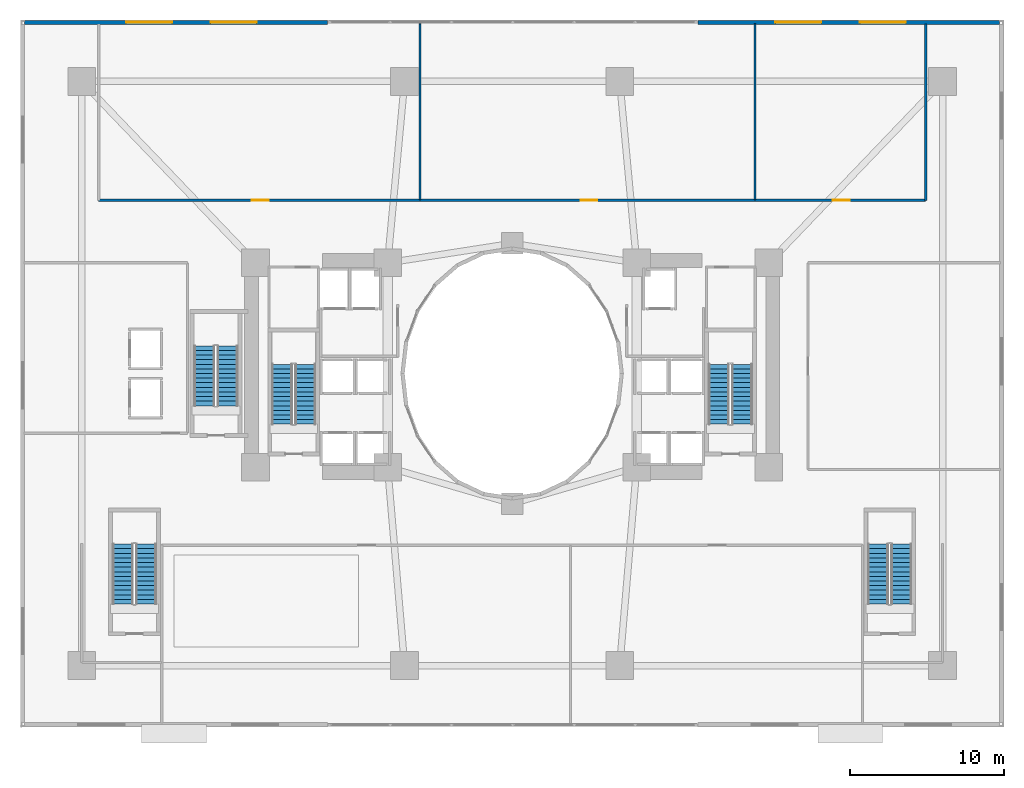
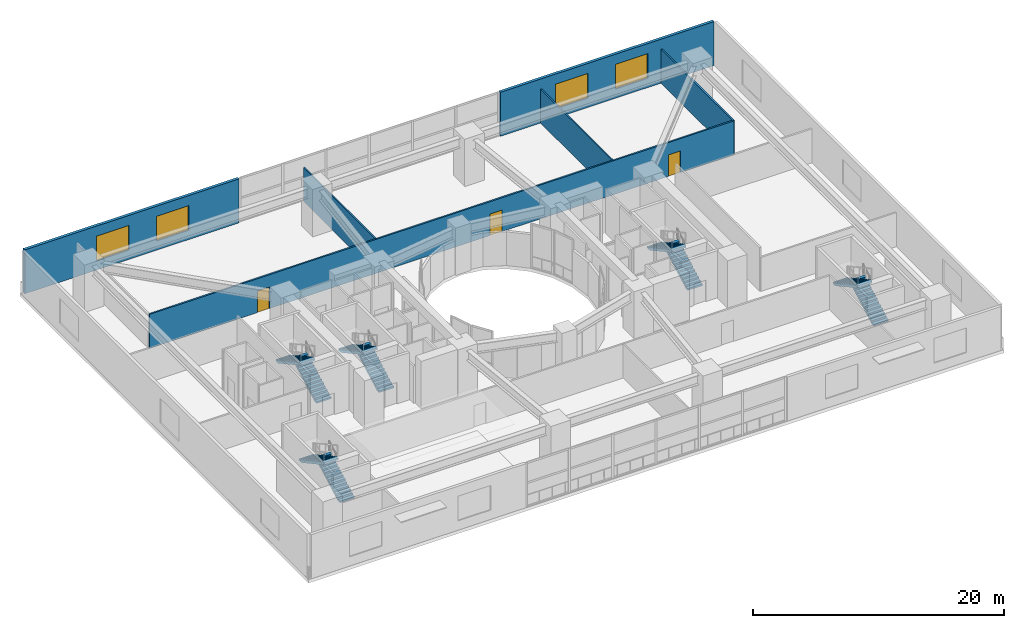
# One storey, part 18 of 25: 10 stair flights, 6 walls, 4 windows, 3 doors, 7 openings, 5 elements without a shape of their own.
"""IFC4 building model written with IfcOpenShell, lengths in metres."""

from ifc_helpers import new_model, si_unit, direction, frame, frame_2d, origin, place, context, subcontext, project, spatial, polyline, rectangle, outline, extrude, material, layer, layer_set, type_object, element, fill, aggregate, save


model = new_model("IFC4")

# Units and contexts
model_context = context("Model", 3, precision=1e-05, world=origin(), true_north=direction((0.0, 1.0)))
body_context = subcontext(model_context, "Body", "Model", "MODEL_VIEW")
ifc_project = project(units=[si_unit("LENGTHUNIT", "METRE"), si_unit("AREAUNIT", "SQUARE_METRE"), si_unit("VOLUMEUNIT", "CUBIC_METRE"), si_unit("PLANEANGLEUNIT", "RADIAN"), si_unit("MASSUNIT", "GRAM", prefix="KILO")], contexts=[model_context])

# Site, building, storey
site_placement = place(None, origin())
site = spatial("IfcSite", under=ifc_project, at=site_placement, CompositionType="ELEMENT")
building_placement = place(site_placement, origin())
building = spatial("IfcBuilding", under=site, at=building_placement, Name="Solvane Sanctuary Tower", CompositionType="ELEMENT")
storey_placement = place(building_placement, frame((0.0, 0.0, 4.60009765625)))
storey = spatial("IfcBuildingStorey", under=building, at=storey_placement, Name="L02", CompositionType="ELEMENT", Elevation=4.60009765625)

# Wall, openings, doors
ifc_material_1 = material(Name="Acoustic Gypsum Partition Board")
ifc_layer_1 = layer(ifc_material_1, 0.14990234375, Name="Acoustic Gypsum Partition Board")
ifc_layer_set_1 = layer_set([ifc_layer_1], Name="Acoustic Gypsum Partition Board")
wall_type_1 = type_object("IfcWallType", Name="Wall W-CORR-150", PredefinedType="PARTITIONING", material=ifc_layer_set_1)
wall_1_placement = place(storey_placement, frame((5.10009765625, 34.27001953125, 0.0), z_axis=(0.0, 0.0, 1.0), x_axis=(1.0, 0.0, 0.0)))
wall_1 = element("IfcWall", 1, at=wall_1_placement, inside=storey, type_object=wall_type_1, Name="L02 North Sanctuary Corridor Wall", PredefinedType="PARTITIONING", context=body_context, shape_type="SweptSolid", body=[
    extrude(rectangle(XDim=53.7998046875, YDim=0.14990234375, at=frame_2d((26.89990234375, 0.0))), origin(), (0.0, 0.0, 1.0), 3.2998046875),
])
opening_1_placement = place(wall_1_placement, frame((9.949951171875, 0.0, 0.0)))
opening_1 = element("IfcOpeningElement", 2, at=opening_1_placement, cuts=wall_1, Name="Opening D-L02-10", PredefinedType="OPENING", context=body_context, shape_type="SweptSolid", body=[
    extrude(rectangle(XDim=1.10009765625, YDim=2.10009765625, at=frame_2d((0.550048828125, 1.050048828125))), frame((0.0, 0.0849609375, 0.0), z_axis=(0.0, -1.0, 0.0), x_axis=(1.0, 0.0, 0.0)), (0.0, 0.0, 1.0), 0.169921875),
])
opening_2_placement = place(wall_1_placement, frame((31.35009765625, 0.0, 0.0)))
opening_2 = element("IfcOpeningElement", 3, at=opening_2_placement, cuts=wall_1, Name="Opening D-L02-11", PredefinedType="OPENING", context=body_context, shape_type="SweptSolid", body=[
    extrude(rectangle(XDim=1.10009765625, YDim=2.10009765625, at=frame_2d((0.550048828125, 1.050048828125))), frame((0.0, 0.0849609375, 0.0), z_axis=(0.0, -1.0, 0.0), x_axis=(1.0, 0.0, 0.0)), (0.0, 0.0, 1.0), 0.169921875),
])
opening_3_placement = place(wall_1_placement, frame((47.75, 0.0, 0.0)))
opening_3 = element("IfcOpeningElement", 4, at=opening_3_placement, cuts=wall_1, Name="Opening D-L02-12", PredefinedType="OPENING", context=body_context, shape_type="SweptSolid", body=[
    extrude(rectangle(XDim=1.10009765625, YDim=2.10009765625, at=frame_2d((0.550048828125, 1.050048828125))), frame((0.0, 0.0849609375, 0.0), z_axis=(0.0, -1.0, 0.0), x_axis=(1.0, 0.0, 0.0)), (0.0, 0.0, 1.0), 0.169921875),
])
ifc_material_2 = material(Name="Architectural Stainless Steel 316", Category="steel")
door_type = type_object("IfcDoorType", Name="Door D-FFL", OperationType="NOTDEFINED", PredefinedType="DOOR", material=ifc_material_2)
door_1_placement = place(opening_1_placement, origin())
door_1 = element("IfcDoor", 5, at=door_1_placement, inside=storey, type_object=door_type, Name="L02 WUDU-M Hall Door", OperationType="SINGLE_SWING_LEFT", OverallHeight=2.10009765625, OverallWidth=1.10009765625, PredefinedType="DOOR", context=body_context, shape_type="SweptSolid", body=[
    extrude(rectangle(XDim=1.10009765625, YDim=2.10009765625, at=frame_2d((0.550048828125, 1.050048828125))), frame((0.0, 0.02490234375, 0.0), z_axis=(0.0, -1.0, 0.0), x_axis=(1.0, 0.0, 0.0)), (0.0, 0.0, 1.0), 0.050048828125),
])
fill(opening_1, door_1)
door_2_placement = place(opening_2_placement, origin())
door_2 = element("IfcDoor", 6, at=door_2_placement, inside=storey, type_object=door_type, Name="L02 WUDU-W Hall Door", OperationType="SINGLE_SWING_RIGHT", OverallHeight=2.10009765625, OverallWidth=1.10009765625, PredefinedType="DOOR", context=body_context, shape_type="SweptSolid", body=[
    extrude(rectangle(XDim=1.10009765625, YDim=2.10009765625, at=frame_2d((0.550048828125, 1.050048828125))), frame((0.0, 0.02490234375, 0.0), z_axis=(0.0, -1.0, 0.0), x_axis=(1.0, 0.0, 0.0)), (0.0, 0.0, 1.0), 0.050048828125),
])
fill(opening_2, door_2)
door_3_placement = place(opening_3_placement, origin())
door_3 = element("IfcDoor", 7, at=door_3_placement, inside=storey, type_object=door_type, Name="L02 SHOE Hall Door", OperationType="SINGLE_SWING_LEFT", OverallHeight=2.10009765625, OverallWidth=1.10009765625, PredefinedType="DOOR", context=body_context, shape_type="SweptSolid", body=[
    extrude(rectangle(XDim=1.10009765625, YDim=2.10009765625, at=frame_2d((0.550048828125, 1.050048828125))), frame((0.0, 0.02490234375, 0.0), z_axis=(0.0, -1.0, 0.0), x_axis=(1.0, 0.0, 0.0)), (0.0, 0.0, 1.0), 0.050048828125),
])
fill(opening_3, door_3)

# Wall
wall_2_placement = place(storey_placement, frame((58.89990234375, 34.27001953125, 0.0), z_axis=(0.0, 0.0, 1.0), x_axis=(0.0, 1.0, 0.0)))
element("IfcWall", 8, at=wall_2_placement, inside=storey, type_object=wall_type_1, Name="L02 North Hall East Wall", PredefinedType="PARTITIONING", context=body_context, shape_type="SweptSolid", body=[
    extrude(rectangle(XDim=11.47998046875, YDim=0.14990234375, at=frame_2d((5.739990234375, 0.0))), origin(), (0.0, 0.0, 1.0), 3.2998046875),
])

# Wall, openings, windows
ifc_material_3 = material(Name="Precast concrete C40/50", Category="concrete")
ifc_layer_2 = layer(ifc_material_3, 0.260009765625, Name="Precast concrete C40/50")
ifc_layer_set_2 = layer_set([ifc_layer_2], Name="Precast concrete C40/50")
wall_type_2 = type_object("IfcWallType", Name="Wall W-EXT-250", PredefinedType="STANDARD", material=ifc_layer_set_2)
wall_3_placement = place(storey_placement, frame((63.719970703125, 45.85009765625, 0.0), z_axis=(0.0, 0.0, 1.0), x_axis=(-1.0, 0.0, 0.0)))
wall_3 = element("IfcWall", 9, at=wall_3_placement, inside=storey, type_object=wall_type_2, Name="L02 Podium Facade Wall N1", PredefinedType="STANDARD", context=body_context, shape_type="SweptSolid", body=[
    extrude(rectangle(XDim=19.639892578125, YDim=0.260009765625, at=frame_2d((9.81982421875, 0.0))), origin(), (0.0, 0.0, 1.0), 4.27978515625),
])
opening_4_placement = place(wall_3_placement, frame((6.10009765625, 0.0, 0.89990234375)))
opening_4 = element("IfcOpeningElement", 10, at=opening_4_placement, cuts=wall_3, Name="Opening WN-POD-3000", PredefinedType="OPENING", context=body_context, shape_type="SweptSolid", body=[
    extrude(rectangle(XDim=3.0, YDim=2.39990234375, at=frame_2d((1.5, 1.199951171875))), frame((0.0, 0.139892578125, 0.0), z_axis=(0.0, -1.0, 0.0), x_axis=(1.0, 0.0, 0.0)), (0.0, 0.0, 1.0), 0.280029296875),
])
opening_5_placement = place(wall_3_placement, frame((11.60009765625, 0.0, 0.89990234375)))
opening_5 = element("IfcOpeningElement", 11, at=opening_5_placement, cuts=wall_3, Name="Opening WN-POD-3000", PredefinedType="OPENING", context=body_context, shape_type="SweptSolid", body=[
    extrude(rectangle(XDim=3.0, YDim=2.39990234375, at=frame_2d((1.5, 1.199951171875))), frame((0.0, 0.139892578125, 0.0), z_axis=(0.0, -1.0, 0.0), x_axis=(1.0, 0.0, 0.0)), (0.0, 0.0, 1.0), 0.280029296875),
])
ifc_material_4 = material(Name="Dark Ceramic-Fritted Low-E Glass", Category="glass")
window_type = type_object("IfcWindowType", Name="Window WN-POD-3000", PartitioningType="SINGLE_PANEL", PredefinedType="WINDOW", material=ifc_material_4)
window_1_placement = place(opening_4_placement, origin())
window_1 = element("IfcWindow", 12, at=window_1_placement, inside=storey, type_object=window_type, Name="L02 Podium Window N1-6", OverallHeight=2.39990234375, OverallWidth=3.0, PartitioningType="SINGLE_PANEL", PredefinedType="WINDOW", context=body_context, shape_type="SweptSolid", body=[
    extrude(rectangle(XDim=3.0, YDim=2.39990234375, at=frame_2d((1.5, 1.199951171875))), frame((0.0, 0.030029296875, 0.0), z_axis=(0.0, -1.0, 0.0), x_axis=(1.0, 0.0, 0.0)), (0.0, 0.0, 1.0), 0.06005859375),
])
fill(opening_4, window_1)
window_2_placement = place(opening_5_placement, origin())
window_2 = element("IfcWindow", 13, at=window_2_placement, inside=storey, type_object=window_type, Name="L02 Podium Window N1-11", OverallHeight=2.39990234375, OverallWidth=3.0, PartitioningType="SINGLE_PANEL", PredefinedType="WINDOW", context=body_context, shape_type="SweptSolid", body=[
    extrude(rectangle(XDim=3.0, YDim=2.39990234375, at=frame_2d((1.5, 1.199951171875))), frame((0.0, 0.030029296875, 0.0), z_axis=(0.0, -1.0, 0.0), x_axis=(1.0, 0.0, 0.0)), (0.0, 0.0, 1.0), 0.06005859375),
])
fill(opening_5, window_2)

wall_4_placement = place(storey_placement, frame((20.0, 45.85009765625, 0.0), z_axis=(0.0, 0.0, 1.0), x_axis=(-1.0, 0.0, 0.0)))
wall_4 = element("IfcWall", 14, at=wall_4_placement, inside=storey, type_object=wall_type_2, Name="L02 Podium Facade Wall N3", PredefinedType="STANDARD", context=body_context, shape_type="SweptSolid", body=[
    extrude(rectangle(XDim=19.719970703125, YDim=0.260009765625, at=frame_2d((9.85986328125, 0.0))), origin(), (0.0, 0.0, 1.0), 4.27978515625),
])
opening_6_placement = place(wall_4_placement, frame((4.6201171875, 0.0, 0.89990234375)))
opening_6 = element("IfcOpeningElement", 15, at=opening_6_placement, cuts=wall_4, Name="Opening WN-POD-3000", PredefinedType="OPENING", context=body_context, shape_type="SweptSolid", body=[
    extrude(rectangle(XDim=3.0, YDim=2.39990234375, at=frame_2d((1.5, 1.199951171875))), frame((0.0, 0.139892578125, 0.0), z_axis=(0.0, -1.0, 0.0), x_axis=(1.0, 0.0, 0.0)), (0.0, 0.0, 1.0), 0.280029296875),
])
opening_7_placement = place(wall_4_placement, frame((10.1201171875, 0.0, 0.89990234375)))
opening_7 = element("IfcOpeningElement", 16, at=opening_7_placement, cuts=wall_4, Name="Opening WN-POD-3000", PredefinedType="OPENING", context=body_context, shape_type="SweptSolid", body=[
    extrude(rectangle(XDim=3.0, YDim=2.39990234375, at=frame_2d((1.5, 1.199951171875))), frame((0.0, 0.139892578125, 0.0), z_axis=(0.0, -1.0, 0.0), x_axis=(1.0, 0.0, 0.0)), (0.0, 0.0, 1.0), 0.280029296875),
])
window_3_placement = place(opening_6_placement, origin())
window_3 = element("IfcWindow", 17, at=window_3_placement, inside=storey, type_object=window_type, Name="L02 Podium Window N3-4", OverallHeight=2.39990234375, OverallWidth=3.0, PartitioningType="SINGLE_PANEL", PredefinedType="WINDOW", context=body_context, shape_type="SweptSolid", body=[
    extrude(rectangle(XDim=3.0, YDim=2.39990234375, at=frame_2d((1.5, 1.199951171875))), frame((0.0, 0.030029296875, 0.0), z_axis=(0.0, -1.0, 0.0), x_axis=(1.0, 0.0, 0.0)), (0.0, 0.0, 1.0), 0.06005859375),
])
fill(opening_6, window_3)
window_4_placement = place(opening_7_placement, origin())
window_4 = element("IfcWindow", 18, at=window_4_placement, inside=storey, type_object=window_type, Name="L02 Podium Window N3-10", OverallHeight=2.39990234375, OverallWidth=3.0, PartitioningType="SINGLE_PANEL", PredefinedType="WINDOW", context=body_context, shape_type="SweptSolid", body=[
    extrude(rectangle(XDim=3.0, YDim=2.39990234375, at=frame_2d((1.5, 1.199951171875))), frame((0.0, 0.030029296875, 0.0), z_axis=(0.0, -1.0, 0.0), x_axis=(1.0, 0.0, 0.0)), (0.0, 0.0, 1.0), 0.06005859375),
])
fill(opening_7, window_4)

# Walls
ifc_layer_3 = layer(ifc_material_1, 0.1201171875, Name="Acoustic Gypsum Partition Board")
ifc_layer_set_3 = layer_set([ifc_layer_3], Name="Acoustic Gypsum Partition Board")
wall_type_3 = type_object("IfcWallType", Name="Wall W-MOV-100", PredefinedType="MOVABLE", material=ifc_layer_set_3)
for number, where, z_axis, x_axis, name in (
    (19, (26.0, 34.320068359375, 0.0), (0.0, 0.0, 1.0), (0.0, 1.0, 0.0), "L02 Hall Dividing Partition WUDU-M"),
    (20, (47.800048828125, 34.320068359375, 0.0), (0.0, 0.0, 1.0), (0.0, 1.0, 0.0), "L02 Hall Dividing Partition WUDU-W"),
):
    element("IfcWall", number, at=place(storey_placement, frame(where, z_axis=z_axis, x_axis=x_axis)), inside=storey, type_object=wall_type_3, Name=name, PredefinedType="MOVABLE", context=body_context, shape_type="SweptSolid", body=[
        extrude(rectangle(XDim=11.429931640625, YDim=0.1201171875, at=frame_2d((5.71484375, 0.0))), origin(), (0.0, 0.0, 1.0), 3.2998046875),
    ])

# Stair, stair flights
ifc_material_5 = material(Name="Concrete C50/60", Category="concrete")
stair_type_1 = type_object("IfcStairType", Name="Stair ST-METRO", PredefinedType="HALF_TURN_STAIR", material=ifc_material_5)
stair_1_placement = place(storey_placement, origin())
stair_1 = element("IfcStair", 21, at=stair_1_placement, inside=storey, type_object=stair_type_1, Name="L02 Exit Stair ST-5 Metro East Stair", PredefinedType="HALF_TURN_STAIR")
stair_flight_type_1 = type_object("IfcStairFlightType", Name="StairFlight SF-METRO", PredefinedType="STRAIGHT", material=ifc_material_5)
stair_flight_1_placement = place(storey_placement, frame((57.324951171875, 8.0, 0.0), z_axis=(0.0, 0.0, 1.0), x_axis=(0.0, 1.0, 0.0)))
stair_flight_1 = element("IfcStairFlight", 22, at=stair_flight_1_placement, type_object=stair_flight_type_1, Name="ST-5 flight 1", NumberOfRisers=14, NumberOfTreads=13, PredefinedType="STRAIGHT", RiserHeight=0.164285714, TreadLength=0.3, context=body_context, shape_type="SweptSolid", body=[
    extrude(outline(polyline([(0.0, 0.0), (0.0, 0.164306640625), (0.300048828125, 0.164306640625), (0.300048828125, 0.32861328125), (0.60009765625, 0.32861328125), (0.60009765625, 0.492919921875), (0.89990234375, 0.492919921875), (0.89990234375, 0.6572265625), (1.199951171875, 0.6572265625), (1.199951171875, 0.821533203125), (1.5, 0.821533203125), (1.5, 0.985595703125), (1.800048828125, 0.985595703125), (1.800048828125, 1.14990234375), (2.10009765625, 1.14990234375), (2.10009765625, 1.314208984375), (2.39990234375, 1.314208984375), (2.39990234375, 1.478515625), (2.699951171875, 1.478515625), (2.699951171875, 1.642822265625), (3.0, 1.642822265625), (3.0, 1.80712890625), (3.300048828125, 1.80712890625), (3.300048828125, 1.971435546875), (3.60009765625, 1.971435546875), (3.60009765625, 2.1357421875), (3.89990234375, 2.1357421875), (3.89990234375, 2.300048828125), (3.89990234375, 1.9306640625), (0.37451171875, 0.0), (0.0, 0.0)])), frame((0.0, 0.675048828125, 0.0), z_axis=(0.0, -1.0, 0.0), x_axis=(1.0, 0.0, 0.0)), (0.0, 0.0, 1.0), 1.35009765625),
])
stair_flight_2_placement = place(storey_placement, frame((55.81494140625, 11.89990234375, 2.2998046875), z_axis=(0.0, 0.0, 1.0), x_axis=(0.0, -1.0, 0.0)))
stair_flight_2 = element("IfcStairFlight", 23, at=stair_flight_2_placement, type_object=stair_flight_type_1, Name="ST-5 flight 2", NumberOfRisers=14, NumberOfTreads=13, PredefinedType="STRAIGHT", RiserHeight=0.164285714, TreadLength=0.3, context=body_context, shape_type="SweptSolid", body=[
    extrude(outline(polyline([(0.0, 0.0), (0.0, 0.164306640625), (0.300048828125, 0.164306640625), (0.300048828125, 0.32861328125), (0.60009765625, 0.32861328125), (0.60009765625, 0.492919921875), (0.89990234375, 0.492919921875), (0.89990234375, 0.6572265625), (1.199951171875, 0.6572265625), (1.199951171875, 0.821533203125), (1.5, 0.821533203125), (1.5, 0.985595703125), (1.800048828125, 0.985595703125), (1.800048828125, 1.14990234375), (2.10009765625, 1.14990234375), (2.10009765625, 1.314208984375), (2.39990234375, 1.314208984375), (2.39990234375, 1.478515625), (2.699951171875, 1.478515625), (2.699951171875, 1.642822265625), (3.0, 1.642822265625), (3.0, 1.80712890625), (3.300048828125, 1.80712890625), (3.300048828125, 1.971435546875), (3.60009765625, 1.971435546875), (3.60009765625, 2.1357421875), (3.89990234375, 2.1357421875), (3.89990234375, 2.300048828125), (3.89990234375, 1.9306640625), (0.37451171875, 0.0), (0.0, 0.0)])), frame((0.0, 0.675048828125, 0.0), z_axis=(0.0, -1.0, 0.0), x_axis=(1.0, 0.0, 0.0)), (0.0, 0.0, 1.0), 1.35009765625),
])
aggregate(stair_1, [stair_flight_1, stair_flight_2])

stair_type_2 = type_object("IfcStairType", Name="Stair ST-POD", PredefinedType="HALF_TURN_STAIR", material=ifc_material_5)
stair_2_placement = place(storey_placement, origin())
stair_2 = element("IfcStair", 24, at=stair_2_placement, inside=storey, type_object=stair_type_2, Name="L02 Exit Stair ST-4 Metro West Stair", PredefinedType="HALF_TURN_STAIR")
stair_flight_type_2 = type_object("IfcStairFlightType", Name="StairFlight SF-POD", PredefinedType="STRAIGHT", material=ifc_material_5)
stair_flight_3_placement = place(storey_placement, frame((8.18505859375, 8.0, 0.0), z_axis=(0.0, 0.0, 1.0), x_axis=(0.0, 1.0, 0.0)))
stair_flight_3 = element("IfcStairFlight", 25, at=stair_flight_3_placement, type_object=stair_flight_type_2, Name="ST-4 flight 1", NumberOfRisers=14, NumberOfTreads=13, PredefinedType="STRAIGHT", RiserHeight=0.164285714, TreadLength=0.3, context=body_context, shape_type="SweptSolid", body=[
    extrude(outline(polyline([(0.0, 0.0), (0.0, 0.164306640625), (0.300048828125, 0.164306640625), (0.300048828125, 0.32861328125), (0.60009765625, 0.32861328125), (0.60009765625, 0.492919921875), (0.89990234375, 0.492919921875), (0.89990234375, 0.6572265625), (1.199951171875, 0.6572265625), (1.199951171875, 0.821533203125), (1.5, 0.821533203125), (1.5, 0.985595703125), (1.800048828125, 0.985595703125), (1.800048828125, 1.14990234375), (2.10009765625, 1.14990234375), (2.10009765625, 1.314208984375), (2.39990234375, 1.314208984375), (2.39990234375, 1.478515625), (2.699951171875, 1.478515625), (2.699951171875, 1.642822265625), (3.0, 1.642822265625), (3.0, 1.80712890625), (3.300048828125, 1.80712890625), (3.300048828125, 1.971435546875), (3.60009765625, 1.971435546875), (3.60009765625, 2.1357421875), (3.89990234375, 2.1357421875), (3.89990234375, 2.300048828125), (3.89990234375, 1.9306640625), (0.37451171875, 0.0), (0.0, 0.0)])), frame((0.0, 0.675048828125, 0.0), z_axis=(0.0, -1.0, 0.0), x_axis=(1.0, 0.0, 0.0)), (0.0, 0.0, 1.0), 1.35009765625),
])
stair_flight_4_placement = place(storey_placement, frame((6.675048828125, 11.89990234375, 2.2998046875), z_axis=(0.0, 0.0, 1.0), x_axis=(0.0, -1.0, 0.0)))
stair_flight_4 = element("IfcStairFlight", 26, at=stair_flight_4_placement, type_object=stair_flight_type_2, Name="ST-4 flight 2", NumberOfRisers=14, NumberOfTreads=13, PredefinedType="STRAIGHT", RiserHeight=0.164285714, TreadLength=0.3, context=body_context, shape_type="SweptSolid", body=[
    extrude(outline(polyline([(0.0, 0.0), (0.0, 0.164306640625), (0.300048828125, 0.164306640625), (0.300048828125, 0.32861328125), (0.60009765625, 0.32861328125), (0.60009765625, 0.492919921875), (0.89990234375, 0.492919921875), (0.89990234375, 0.6572265625), (1.199951171875, 0.6572265625), (1.199951171875, 0.821533203125), (1.5, 0.821533203125), (1.5, 0.985595703125), (1.800048828125, 0.985595703125), (1.800048828125, 1.14990234375), (2.10009765625, 1.14990234375), (2.10009765625, 1.314208984375), (2.39990234375, 1.314208984375), (2.39990234375, 1.478515625), (2.699951171875, 1.478515625), (2.699951171875, 1.642822265625), (3.0, 1.642822265625), (3.0, 1.80712890625), (3.300048828125, 1.80712890625), (3.300048828125, 1.971435546875), (3.60009765625, 1.971435546875), (3.60009765625, 2.1357421875), (3.89990234375, 2.1357421875), (3.89990234375, 2.300048828125), (3.89990234375, 1.9306640625), (0.37451171875, 0.0), (0.0, 0.0)])), frame((0.0, 0.675048828125, 0.0), z_axis=(0.0, -1.0, 0.0), x_axis=(1.0, 0.0, 0.0)), (0.0, 0.0, 1.0), 1.35009765625),
])
aggregate(stair_2, [stair_flight_3, stair_flight_4])

ifc_material_6 = material(Name="Concrete C45/55", Category="concrete")
stair_type_3 = type_object("IfcStairType", Name="Stair ST-TOW", PredefinedType="HALF_TURN_STAIR", material=ifc_material_6)
stair_3_placement = place(storey_placement, origin())
stair_3 = element("IfcStair", 27, at=stair_3_placement, inside=storey, type_object=stair_type_3, Name="L02 Exit Stair ST-1 West Core", PredefinedType="HALF_TURN_STAIR")
stair_flight_type_3 = type_object("IfcStairFlightType", Name="StairFlight SF-TOW", PredefinedType="STRAIGHT", material=ifc_material_6)
stair_flight_5_placement = place(storey_placement, frame((18.544921875, 19.699951171875, 0.0), z_axis=(0.0, 0.0, 1.0), x_axis=(0.0, 1.0, 0.0)))
stair_flight_5 = element("IfcStairFlight", 28, at=stair_flight_5_placement, type_object=stair_flight_type_3, Name="ST-1 flight 1", NumberOfRisers=14, NumberOfTreads=13, PredefinedType="STRAIGHT", RiserHeight=0.164285714, TreadLength=0.3, context=body_context, shape_type="SweptSolid", body=[
    extrude(outline(polyline([(0.0, 0.0), (0.0, 0.164306640625), (0.300048828125, 0.164306640625), (0.300048828125, 0.32861328125), (0.60009765625, 0.32861328125), (0.60009765625, 0.492919921875), (0.89990234375, 0.492919921875), (0.89990234375, 0.6572265625), (1.199951171875, 0.6572265625), (1.199951171875, 0.821533203125), (1.5, 0.821533203125), (1.5, 0.985595703125), (1.800048828125, 0.985595703125), (1.800048828125, 1.14990234375), (2.10009765625, 1.14990234375), (2.10009765625, 1.314208984375), (2.39990234375, 1.314208984375), (2.39990234375, 1.478515625), (2.699951171875, 1.478515625), (2.699951171875, 1.642822265625), (3.0, 1.642822265625), (3.0, 1.80712890625), (3.300048828125, 1.80712890625), (3.300048828125, 1.971435546875), (3.60009765625, 1.971435546875), (3.60009765625, 2.1357421875), (3.89990234375, 2.1357421875), (3.89990234375, 2.300048828125), (3.89990234375, 1.9306640625), (0.37451171875, 0.0), (0.0, 0.0)])), frame((0.0, 0.675048828125, 0.0), z_axis=(0.0, -1.0, 0.0), x_axis=(1.0, 0.0, 0.0)), (0.0, 0.0, 1.0), 1.35009765625),
])
stair_flight_6_placement = place(storey_placement, frame((17.034912109375, 23.60009765625, 2.2998046875), z_axis=(0.0, 0.0, 1.0), x_axis=(0.0, -1.0, 0.0)))
stair_flight_6 = element("IfcStairFlight", 29, at=stair_flight_6_placement, type_object=stair_flight_type_3, Name="ST-1 flight 2", NumberOfRisers=14, NumberOfTreads=13, PredefinedType="STRAIGHT", RiserHeight=0.164285714, TreadLength=0.3, context=body_context, shape_type="SweptSolid", body=[
    extrude(outline(polyline([(0.0, 0.0), (0.0, 0.164306640625), (0.300048828125, 0.164306640625), (0.300048828125, 0.32861328125), (0.60009765625, 0.32861328125), (0.60009765625, 0.492919921875), (0.89990234375, 0.492919921875), (0.89990234375, 0.6572265625), (1.199951171875, 0.6572265625), (1.199951171875, 0.821533203125), (1.5, 0.821533203125), (1.5, 0.985595703125), (1.800048828125, 0.985595703125), (1.800048828125, 1.14990234375), (2.10009765625, 1.14990234375), (2.10009765625, 1.314208984375), (2.39990234375, 1.314208984375), (2.39990234375, 1.478515625), (2.699951171875, 1.478515625), (2.699951171875, 1.642822265625), (3.0, 1.642822265625), (3.0, 1.80712890625), (3.300048828125, 1.80712890625), (3.300048828125, 1.971435546875), (3.60009765625, 1.971435546875), (3.60009765625, 2.1357421875), (3.89990234375, 2.1357421875), (3.89990234375, 2.300048828125), (3.89990234375, 1.9306640625), (0.37451171875, 0.0), (0.0, 0.0)])), frame((0.0, 0.675048828125, 0.0), z_axis=(0.0, -1.0, 0.0), x_axis=(1.0, 0.0, 0.0)), (0.0, 0.0, 1.0), 1.35009765625),
])
aggregate(stair_3, [stair_flight_5, stair_flight_6])

stair_4_placement = place(storey_placement, origin())
stair_4 = element("IfcStair", 30, at=stair_4_placement, inside=storey, type_object=stair_type_3, Name="L02 Exit Stair ST-2 East Core", PredefinedType="HALF_TURN_STAIR")
stair_flight_7_placement = place(storey_placement, frame((46.965087890625, 19.699951171875, 0.0), z_axis=(0.0, 0.0, 1.0), x_axis=(0.0, 1.0, 0.0)))
stair_flight_7 = element("IfcStairFlight", 31, at=stair_flight_7_placement, type_object=stair_flight_type_3, Name="ST-2 flight 1", NumberOfRisers=14, NumberOfTreads=13, PredefinedType="STRAIGHT", RiserHeight=0.164285714, TreadLength=0.3, context=body_context, shape_type="SweptSolid", body=[
    extrude(outline(polyline([(0.0, 0.0), (0.0, 0.164306640625), (0.300048828125, 0.164306640625), (0.300048828125, 0.32861328125), (0.60009765625, 0.32861328125), (0.60009765625, 0.492919921875), (0.89990234375, 0.492919921875), (0.89990234375, 0.6572265625), (1.199951171875, 0.6572265625), (1.199951171875, 0.821533203125), (1.5, 0.821533203125), (1.5, 0.985595703125), (1.800048828125, 0.985595703125), (1.800048828125, 1.14990234375), (2.10009765625, 1.14990234375), (2.10009765625, 1.314208984375), (2.39990234375, 1.314208984375), (2.39990234375, 1.478515625), (2.699951171875, 1.478515625), (2.699951171875, 1.642822265625), (3.0, 1.642822265625), (3.0, 1.80712890625), (3.300048828125, 1.80712890625), (3.300048828125, 1.971435546875), (3.60009765625, 1.971435546875), (3.60009765625, 2.1357421875), (3.89990234375, 2.1357421875), (3.89990234375, 2.300048828125), (3.89990234375, 1.9306640625), (0.37451171875, 0.0), (0.0, 0.0)])), frame((0.0, 0.675048828125, 0.0), z_axis=(0.0, -1.0, 0.0), x_axis=(1.0, 0.0, 0.0)), (0.0, 0.0, 1.0), 1.35009765625),
])
stair_flight_8_placement = place(storey_placement, frame((45.455078125, 23.60009765625, 2.2998046875), z_axis=(0.0, 0.0, 1.0), x_axis=(0.0, -1.0, 0.0)))
stair_flight_8 = element("IfcStairFlight", 32, at=stair_flight_8_placement, type_object=stair_flight_type_3, Name="ST-2 flight 2", NumberOfRisers=14, NumberOfTreads=13, PredefinedType="STRAIGHT", RiserHeight=0.164285714, TreadLength=0.3, context=body_context, shape_type="SweptSolid", body=[
    extrude(outline(polyline([(0.0, 0.0), (0.0, 0.164306640625), (0.300048828125, 0.164306640625), (0.300048828125, 0.32861328125), (0.60009765625, 0.32861328125), (0.60009765625, 0.492919921875), (0.89990234375, 0.492919921875), (0.89990234375, 0.6572265625), (1.199951171875, 0.6572265625), (1.199951171875, 0.821533203125), (1.5, 0.821533203125), (1.5, 0.985595703125), (1.800048828125, 0.985595703125), (1.800048828125, 1.14990234375), (2.10009765625, 1.14990234375), (2.10009765625, 1.314208984375), (2.39990234375, 1.314208984375), (2.39990234375, 1.478515625), (2.699951171875, 1.478515625), (2.699951171875, 1.642822265625), (3.0, 1.642822265625), (3.0, 1.80712890625), (3.300048828125, 1.80712890625), (3.300048828125, 1.971435546875), (3.60009765625, 1.971435546875), (3.60009765625, 2.1357421875), (3.89990234375, 2.1357421875), (3.89990234375, 2.300048828125), (3.89990234375, 1.9306640625), (0.37451171875, 0.0), (0.0, 0.0)])), frame((0.0, 0.675048828125, 0.0), z_axis=(0.0, -1.0, 0.0), x_axis=(1.0, 0.0, 0.0)), (0.0, 0.0, 1.0), 1.35009765625),
])
aggregate(stair_4, [stair_flight_7, stair_flight_8])

stair_5_placement = place(storey_placement, origin())
stair_5 = element("IfcStair", 33, at=stair_5_placement, inside=storey, type_object=stair_type_3, Name="L02 Exit Stair ST-3 Pilgrim Tower Stair", PredefinedType="HALF_TURN_STAIR")
stair_flight_9_placement = place(storey_placement, frame((13.485107421875, 20.89990234375, 0.0), z_axis=(0.0, 0.0, 1.0), x_axis=(0.0, 1.0, 0.0)))
stair_flight_9 = element("IfcStairFlight", 34, at=stair_flight_9_placement, type_object=stair_flight_type_3, Name="ST-3 flight 1", NumberOfRisers=14, NumberOfTreads=13, PredefinedType="STRAIGHT", RiserHeight=0.164285714, TreadLength=0.3, context=body_context, shape_type="SweptSolid", body=[
    extrude(outline(polyline([(0.0, 0.0), (0.0, 0.164306640625), (0.300048828125, 0.164306640625), (0.300048828125, 0.32861328125), (0.60009765625, 0.32861328125), (0.60009765625, 0.492919921875), (0.89990234375, 0.492919921875), (0.89990234375, 0.6572265625), (1.199951171875, 0.6572265625), (1.199951171875, 0.821533203125), (1.5, 0.821533203125), (1.5, 0.985595703125), (1.800048828125, 0.985595703125), (1.800048828125, 1.14990234375), (2.10009765625, 1.14990234375), (2.10009765625, 1.314208984375), (2.39990234375, 1.314208984375), (2.39990234375, 1.478515625), (2.699951171875, 1.478515625), (2.699951171875, 1.642822265625), (3.0, 1.642822265625), (3.0, 1.80712890625), (3.300048828125, 1.80712890625), (3.300048828125, 1.971435546875), (3.60009765625, 1.971435546875), (3.60009765625, 2.1357421875), (3.89990234375, 2.1357421875), (3.89990234375, 2.300048828125), (3.89990234375, 1.9306640625), (0.37451171875, 0.0), (0.0, 0.0)])), frame((0.0, 0.675048828125, 0.0), z_axis=(0.0, -1.0, 0.0), x_axis=(1.0, 0.0, 0.0)), (0.0, 0.0, 1.0), 1.35009765625),
])
stair_flight_10_placement = place(storey_placement, frame((11.97509765625, 24.800048828125, 2.2998046875), z_axis=(0.0, 0.0, 1.0), x_axis=(0.0, -1.0, 0.0)))
stair_flight_10 = element("IfcStairFlight", 35, at=stair_flight_10_placement, type_object=stair_flight_type_3, Name="ST-3 flight 2", NumberOfRisers=14, NumberOfTreads=13, PredefinedType="STRAIGHT", RiserHeight=0.164285714, TreadLength=0.3, context=body_context, shape_type="SweptSolid", body=[
    extrude(outline(polyline([(0.0, 0.0), (0.0, 0.164306640625), (0.300048828125, 0.164306640625), (0.300048828125, 0.32861328125), (0.60009765625, 0.32861328125), (0.60009765625, 0.492919921875), (0.89990234375, 0.492919921875), (0.89990234375, 0.6572265625), (1.199951171875, 0.6572265625), (1.199951171875, 0.821533203125), (1.5, 0.821533203125), (1.5, 0.985595703125), (1.800048828125, 0.985595703125), (1.800048828125, 1.14990234375), (2.10009765625, 1.14990234375), (2.10009765625, 1.314208984375), (2.39990234375, 1.314208984375), (2.39990234375, 1.478515625), (2.699951171875, 1.478515625), (2.699951171875, 1.642822265625), (3.0, 1.642822265625), (3.0, 1.80712890625), (3.300048828125, 1.80712890625), (3.300048828125, 1.971435546875), (3.60009765625, 1.971435546875), (3.60009765625, 2.1357421875), (3.89990234375, 2.1357421875), (3.89990234375, 2.300048828125), (3.89990234375, 1.9306640625), (0.37451171875, 0.0), (0.0, 0.0)])), frame((0.0, 0.675048828125, 0.0), z_axis=(0.0, -1.0, 0.0), x_axis=(1.0, 0.0, 0.0)), (0.0, 0.0, 1.0), 1.35009765625),
])
aggregate(stair_5, [stair_flight_9, stair_flight_10])

save(model, "model.ifc")
